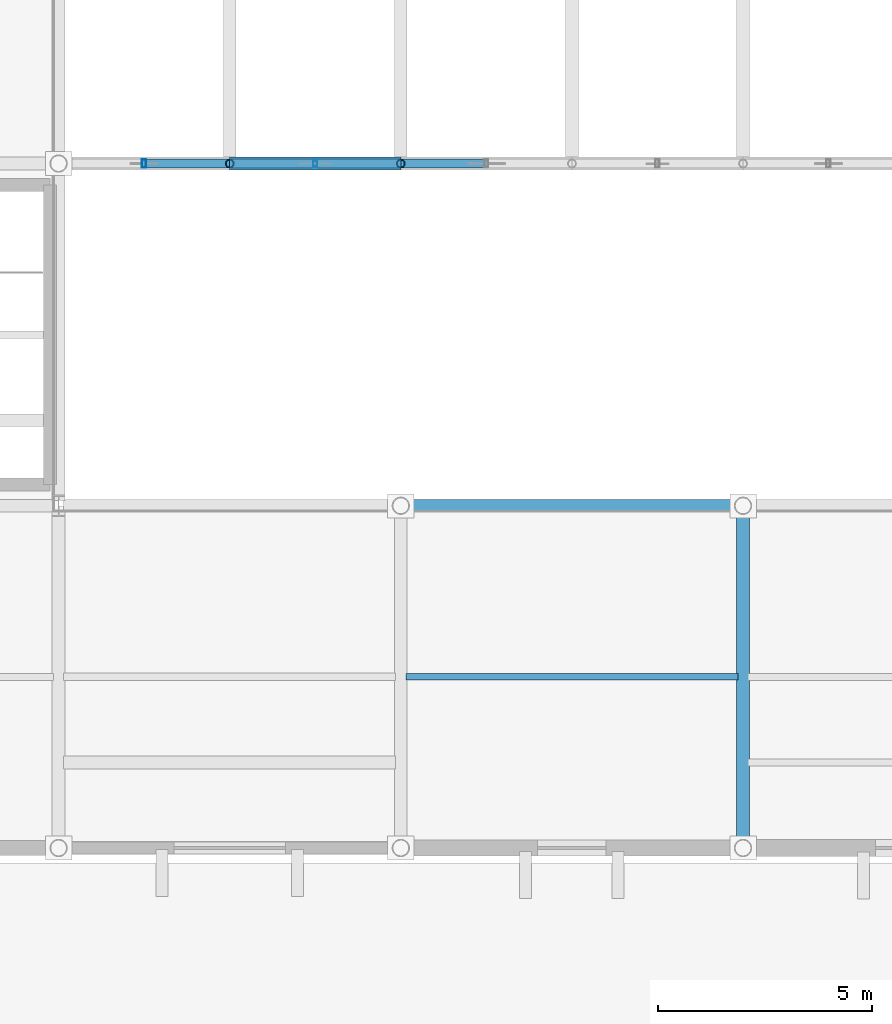
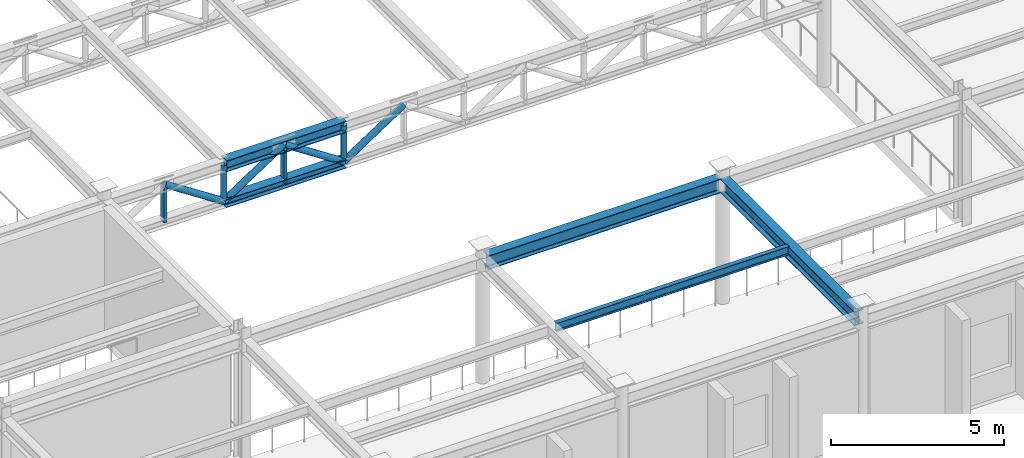
# One storey, part 12 of 46: 10 members, 3 beams.
"""IFC4 building model written with IfcOpenShell, lengths in metres."""

from ifc_helpers import new_model, si_unit, direction, frame, origin, origin_2d, place, context, subcontext, project, spatial, hollow_rectangle, hollow_circle, i_section, extrude, material, material_profile, profile_set, type_object, element, save


model = new_model("IFC4")

# Units and contexts
model_context = context("Model", 3, precision=1e-05, world=origin(), true_north=direction((0.0, 1.0)))
body_context = subcontext(model_context, "Body", "Model", "MODEL_VIEW")
ifc_project = project(units=[si_unit("LENGTHUNIT", "METRE"), si_unit("AREAUNIT", "SQUARE_METRE"), si_unit("VOLUMEUNIT", "CUBIC_METRE"), si_unit("PLANEANGLEUNIT", "RADIAN"), si_unit("MASSUNIT", "GRAM", prefix="KILO")], contexts=[model_context])

# Site, building, storey
site_placement = place(None, origin())
site = spatial("IfcSite", under=ifc_project, at=site_placement, CompositionType="ELEMENT")
building_placement = place(site_placement, origin())
building = spatial("IfcBuilding", under=site, at=building_placement, Name="Tazarka Park Arena", CompositionType="ELEMENT")
storey_placement = place(building_placement, frame((0.0, 0.0, 10.199951171875)))
storey = spatial("IfcBuildingStorey", under=building, at=storey_placement, Name="L02", CompositionType="ELEMENT", Elevation=10.199951171875)

# Beams
ifc_material_1 = material(Name="Steel S355", Category="steel")
ifc_material_profile_1 = material_profile(ifc_material_1, i_section(OverallWidth=0.300048828125, OverallDepth=0.489990234375, WebThickness=0.011962890625, FlangeThickness=0.02294921875, FilletRadius=0.027099609375, at=origin_2d()), Name="Steel S355")
ifc_profile_set_1 = profile_set([ifc_material_profile_1], Name="Steel S355")
beam_type_1 = type_object("IfcBeamType", Name="BM-B-06", PredefinedType="BEAM", material=ifc_profile_set_1)
beam_1_placement = place(storey_placement, frame((168.0, 56.1201171875, 4.175048828125), z_axis=(0.0, 1.0, 0.0), x_axis=(-1.0, 0.0, 0.0)))
element("IfcBeam", 1, at=beam_1_placement, inside=storey, type_object=beam_type_1, Name="GYM-L02-21-07", PredefinedType="BEAM", context=body_context, shape_type="SweptSolid", body=[
    extrude(i_section(OverallWidth=0.300048828125, OverallDepth=0.489990234375, WebThickness=0.011962890625, FlangeThickness=0.02294921875, FilletRadius=0.027099609375, at=origin_2d()), origin(), (0.0, 0.0, 1.0), 7.759765625),
])
ifc_material_2 = material(Name="Steel S355", Category="steel")
ifc_material_profile_2 = material_profile(ifc_material_2, i_section(OverallWidth=0.14990234375, OverallDepth=0.300048828125, WebThickness=0.007080078125, FlangeThickness=0.0107421875, FilletRadius=0.014892578125, at=origin_2d()), Name="Steel S355")
ifc_profile_set_2 = profile_set([ifc_material_profile_2], Name="Steel S355")
beam_type_2 = type_object("IfcBeamType", Name="BM-J-01", PredefinedType="JOIST", material=ifc_profile_set_2)
beam_2_placement = place(storey_placement, frame((160.1201171875, 60.0, 4.27001953125), z_axis=(1.0, 0.0, 0.0), x_axis=(0.0, 1.0, 0.0)))
element("IfcBeam", 2, at=beam_2_placement, inside=storey, type_object=beam_type_2, Name="JST-L02-20-07", PredefinedType="JOIST", context=body_context, shape_type="SweptSolid", body=[
    extrude(i_section(OverallWidth=0.14990234375, OverallDepth=0.300048828125, WebThickness=0.007080078125, FlangeThickness=0.0107421875, FilletRadius=0.014892578125, at=origin_2d()), origin(), (0.0, 0.0, 1.0), 7.759765625),
])
ifc_material_3 = material(Name="Steel S355", Category="steel")
ifc_material_profile_3 = material_profile(ifc_material_3, i_section(OverallWidth=0.300048828125, OverallDepth=0.489990234375, WebThickness=0.011962890625, FlangeThickness=0.02294921875, FilletRadius=0.027099609375, at=origin_2d()), Name="Steel S355")
ifc_profile_set_3 = profile_set([ifc_material_profile_3], Name="Steel S355")
beam_type_3 = type_object("IfcBeamType", Name="BM-SP-02", PredefinedType="SPANDREL", material=ifc_profile_set_3)
beam_3_placement = place(storey_placement, frame((160.1201171875, 64.0, 4.175048828125), z_axis=(1.0, 0.0, 0.0), x_axis=(0.0, 1.0, 0.0)))
element("IfcBeam", 3, at=beam_3_placement, inside=storey, type_object=beam_type_3, Name="GXM-L02-20-08", PredefinedType="SPANDREL", context=body_context, shape_type="SweptSolid", body=[
    extrude(i_section(OverallWidth=0.300048828125, OverallDepth=0.489990234375, WebThickness=0.011962890625, FlangeThickness=0.02294921875, FilletRadius=0.027099609375, at=origin_2d()), origin(), (0.0, 0.0, 1.0), 7.759765625),
])

# Members
ifc_material_4 = material(Name="Steel S355", Category="steel")
ifc_material_profile_4 = material_profile(ifc_material_4, hollow_circle(Radius=0.109619140625, WallThickness=0.010009765625, at=origin_2d()), Name="Steel S355")
ifc_profile_set_4 = profile_set([ifc_material_profile_4], Name="Steel S355")
member_type_1 = type_object("IfcMemberType", Name="MEM-BR-02", PredefinedType="BRACE", material=ifc_profile_set_4)
for number, where, z_axis, x_axis, name in (
    (4, (154.0, 72.0, 4.16015625), (0.836516005166, 0.0, -0.547942490688), (0.0, 1.0, 0.0), "WTD-B-1-0"),
    (5, (156.0, 72.0, 2.85009765625), (0.836516005166, 0.0, 0.547942490688), (0.0, 1.0, 0.0), "WTD-A-1-1"),
    (6, (158.0, 72.0, 4.16015625), (0.836516005166, 0.0, -0.547942490688), (0.0, 1.0, 0.0), "WTD-B-1-1"),
    (7, (160.0, 72.0, 2.85009765625), (0.836516005166, 0.0, 0.547942490688), (0.0, 1.0, 0.0), "WTD-A-1-2"),
):
    element("IfcMember", number, at=place(storey_placement, frame(where, z_axis=z_axis, x_axis=x_axis)), inside=storey, type_object=member_type_1, Name=name, PredefinedType="BRACE", context=body_context, shape_type="SweptSolid", body=[
        extrude(hollow_circle(Radius=0.109619140625, WallThickness=0.010009765625, at=origin_2d()), origin(), (0.0, 0.0, 1.0), 2.390869140625),
    ])
ifc_material_5 = material(Name="Steel S355", Category="steel")
ifc_material_profile_5 = material_profile(ifc_material_5, i_section(OverallWidth=0.300048828125, OverallDepth=0.300048828125, WebThickness=0.010986328125, FlangeThickness=0.01904296875, FilletRadius=0.027099609375, at=origin_2d()), Name="Steel S355")
ifc_profile_set_5 = profile_set([ifc_material_profile_5], Name="Steel S355")
member_type_2 = type_object("IfcMemberType", Name="MEM-CH-01", PredefinedType="CHORD", material=ifc_profile_set_5)
member_1_placement = place(storey_placement, frame((156.0, 72.0, 2.85009765625), z_axis=(1.0, 0.0, 0.0), x_axis=(0.0, 1.0, 0.0)))
element("IfcMember", 8, at=member_1_placement, inside=storey, type_object=member_type_2, Name="WTC-B-1-1", PredefinedType="CHORD", context=body_context, shape_type="SweptSolid", body=[
    extrude(i_section(OverallWidth=0.300048828125, OverallDepth=0.300048828125, WebThickness=0.010986328125, FlangeThickness=0.01904296875, FilletRadius=0.027099609375, at=origin_2d()), origin(), (0.0, 0.0, 1.0), 4.0),
])
ifc_material_6 = material(Name="Steel S355", Category="steel")
ifc_material_profile_6 = material_profile(ifc_material_6, i_section(OverallWidth=0.300048828125, OverallDepth=0.39990234375, WebThickness=0.013427734375, FlangeThickness=0.02392578125, FilletRadius=0.027099609375, at=origin_2d()), Name="Steel S355")
ifc_profile_set_6 = profile_set([ifc_material_profile_6], Name="Steel S355")
member_type_3 = type_object("IfcMemberType", Name="MEM-CH-02", PredefinedType="CHORD", material=ifc_profile_set_6)
member_2_placement = place(storey_placement, frame((156.0, 72.0, 4.16015625), z_axis=(1.0, 0.0, 0.0), x_axis=(0.0, 1.0, 0.0)))
element("IfcMember", 9, at=member_2_placement, inside=storey, type_object=member_type_3, Name="WTC-T-1-1", PredefinedType="CHORD", context=body_context, shape_type="SweptSolid", body=[
    extrude(i_section(OverallWidth=0.300048828125, OverallDepth=0.39990234375, WebThickness=0.013427734375, FlangeThickness=0.02392578125, FilletRadius=0.027099609375, at=origin_2d()), origin(), (0.0, 0.0, 1.0), 4.0),
])
ifc_material_7 = material(Name="Steel S355", Category="steel")
ifc_material_profile_7 = material_profile(ifc_material_7, hollow_rectangle(XDim=0.10009765625, YDim=0.199951171875, WallThickness=0.008056640625, at=origin_2d()), Name="Steel S355")
ifc_profile_set_7 = profile_set([ifc_material_profile_7], Name="Steel S355")
member_type_4 = type_object("IfcMemberType", Name="MEM-PT-01", PredefinedType="POST", material=ifc_profile_set_7)
for number, where, z_axis, x_axis, name in (
    (10, (154.0, 72.0, 2.85009765625), (0.0, 0.0, 1.0), (1.0, 0.0, 0.0), "WTP-1-0"),
    (11, (158.0, 72.0, 2.85009765625), (0.0, 0.0, 1.0), (1.0, 0.0, 0.0), "WTP-1-1"),
):
    element("IfcMember", number, at=place(storey_placement, frame(where, z_axis=z_axis, x_axis=x_axis)), inside=storey, type_object=member_type_4, Name=name, PredefinedType="POST", context=body_context, shape_type="SweptSolid", body=[
        extrude(hollow_rectangle(XDim=0.10009765625, YDim=0.199951171875, WallThickness=0.008056640625, at=origin_2d()), origin(), (0.0, 0.0, 1.0), 1.31005859375),
    ])
ifc_material_8 = material(Name="Steel S355", Category="steel")
ifc_material_profile_8 = material_profile(ifc_material_8, hollow_circle(Radius=0.096923828125, WallThickness=0.010009765625, at=origin_2d()), Name="Steel S355")
ifc_profile_set_8 = profile_set([ifc_material_profile_8], Name="Steel S355")
member_type_5 = type_object("IfcMemberType", Name="MEM-PT-03", PredefinedType="POST", material=ifc_profile_set_8)
for number, where, z_axis, x_axis, name in (
    (12, (156.0, 72.0, 2.85009765625), (0.0, 0.0, 1.0), (1.0, 0.0, 0.0), "WTPN-1-1"),
    (13, (160.0, 72.0, 2.85009765625), (0.0, 0.0, 1.0), (1.0, 0.0, 0.0), "WTPN-1-2"),
):
    element("IfcMember", number, at=place(storey_placement, frame(where, z_axis=z_axis, x_axis=x_axis)), inside=storey, type_object=member_type_5, Name=name, PredefinedType="POST", context=body_context, shape_type="SweptSolid", body=[
        extrude(hollow_circle(Radius=0.096923828125, WallThickness=0.010009765625, at=origin_2d()), origin(), (0.0, 0.0, 1.0), 1.31005859375),
    ])

save(model, "model.ifc")
